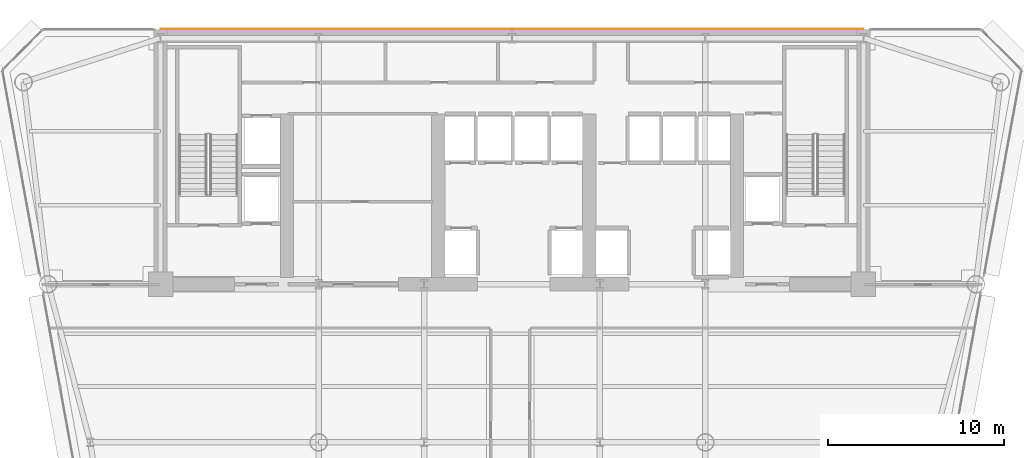
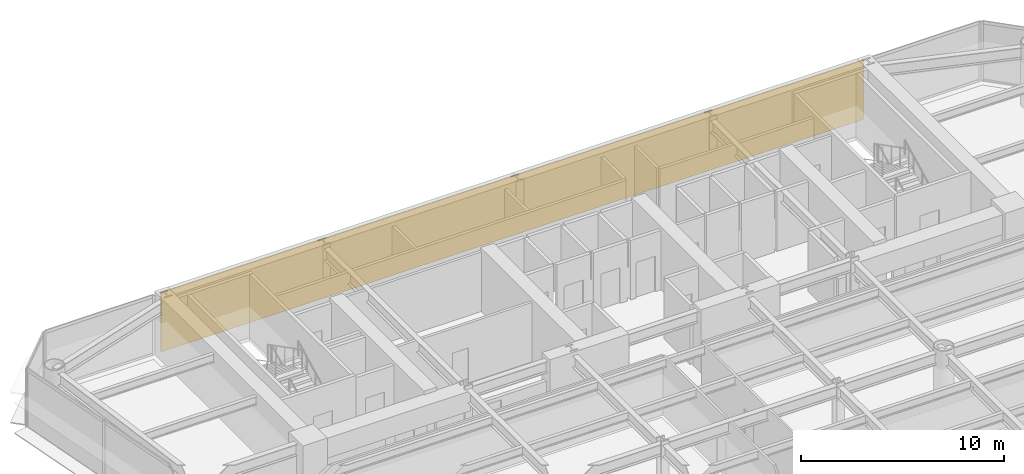
# One storey, part 13 of 14: 1 covering.
"""IFC4 building model written with IfcOpenShell, lengths in metres."""

from ifc_helpers import new_model, si_unit, direction, frame, origin, place, context, subcontext, project, spatial, polyline, outline, extrude, material, layer, layer_set, type_object, element, save


model = new_model("IFC4")

# Units and contexts
model_context = context("Model", 3, precision=1e-05, world=origin(), true_north=direction((0.0, 1.0)))
body_context = subcontext(model_context, "Body", "Model", "MODEL_VIEW")
ifc_project = project(units=[si_unit("LENGTHUNIT", "METRE"), si_unit("AREAUNIT", "SQUARE_METRE"), si_unit("VOLUMEUNIT", "CUBIC_METRE"), si_unit("PLANEANGLEUNIT", "RADIAN"), si_unit("MASSUNIT", "GRAM", prefix="KILO")], contexts=[model_context])

# Site, building, storey
site_placement = place(None, origin())
site = spatial("IfcSite", under=ifc_project, at=site_placement, CompositionType="ELEMENT")
building_placement = place(site_placement, origin())
building = spatial("IfcBuilding", under=site, at=building_placement, Name="Vaeldorn Concourse Tower", CompositionType="ELEMENT")
storey_placement = place(building_placement, frame((0.0, 0.0, 118.60009765625)))
storey = spatial("IfcBuildingStorey", under=building, at=storey_placement, Name="L30", CompositionType="ELEMENT", Elevation=118.60009765625)

# Covering
ifc_material = material(Name="Anodised Bronze Aluminium", Category="aluminium")
ifc_layer = layer(ifc_material, 0.050048828125)
ifc_layer_set = layer_set([ifc_layer], Name="Anodised Bronze Aluminium")
covering_type = type_object("IfcCoveringType", Name="COV-CLAD-BRONZE", PredefinedType="CLADDING", material=ifc_layer_set)
covering_placement = place(storey_placement, origin())
element("IfcCovering", 1, at=covering_placement, inside=storey, type_object=covering_type, Name="Rear Core Bronze Spandrel Cladding L30", PredefinedType="CLADDING", context=body_context, shape_type="SweptSolid", body=[
    extrude(outline(polyline([(14.0, 51.0), (54.0, 51.0), (54.0, 51.050048828125), (14.0, 51.050048828125), (14.0, 51.0)])), origin(), (0.0, 0.0, 1.0), 3.579833984375),
])

save(model, "model.ifc")
